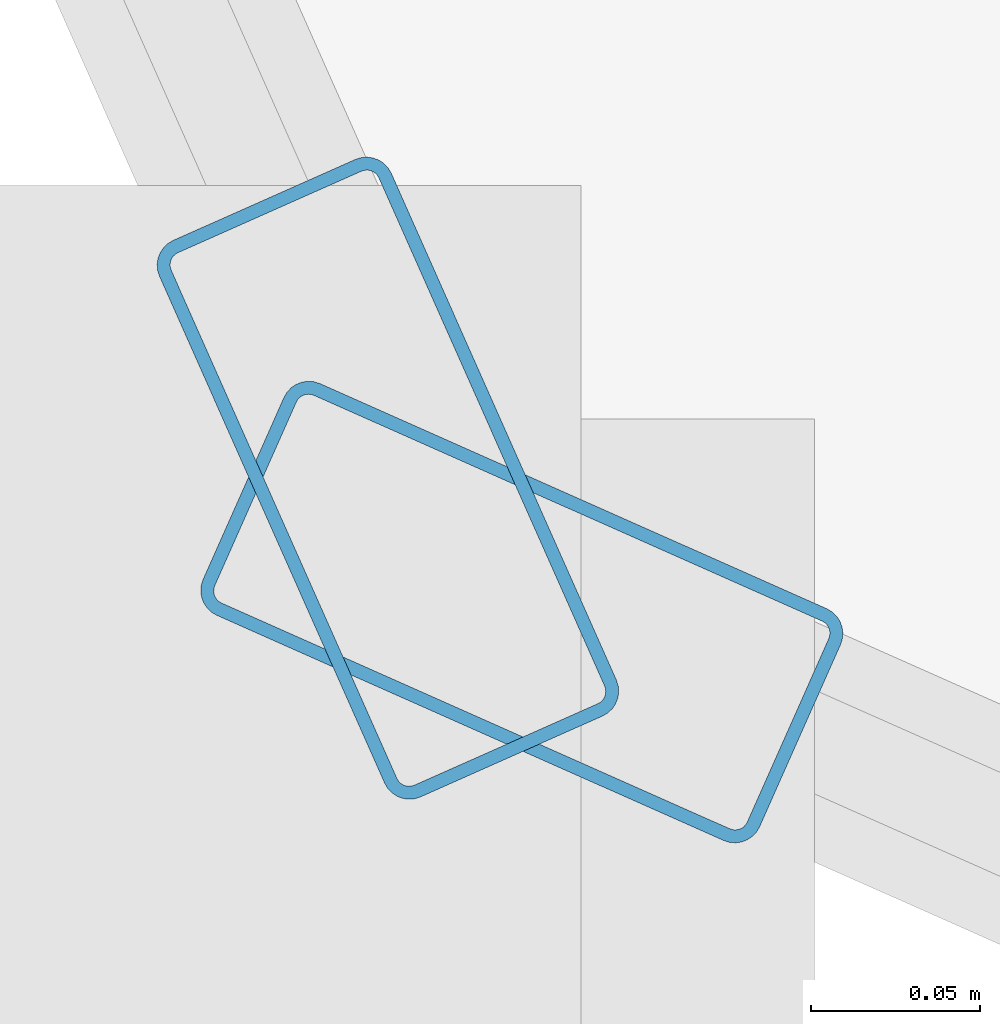
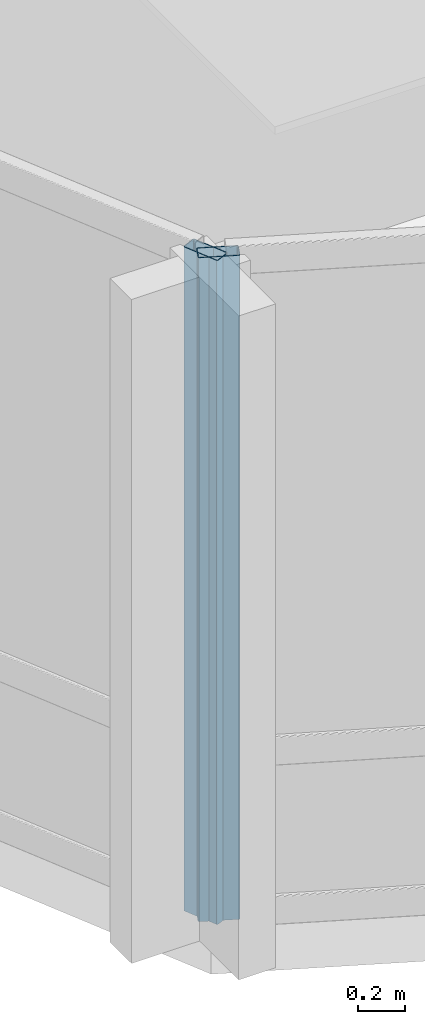
# One storey, part 2 of 29: 2 members, 2 elements without a shape of their own.
"""IFC4 building model written with IfcOpenShell, lengths in metres."""

from ifc_helpers import new_model, si_unit, direction, frame, origin, origin_2d, place, context, subcontext, project, spatial, hollow_rectangle, extrude, material, layer, layer_set, material_profile, profile_set, type_object, element, aggregate, save


model = new_model("IFC4")

# Units and contexts
model_context = context("Model", 3, precision=1e-05, world=origin(), true_north=direction((0.0, 1.0)))
body_context = subcontext(model_context, "Body", "Model", "MODEL_VIEW")
ifc_project = project(units=[si_unit("LENGTHUNIT", "METRE"), si_unit("AREAUNIT", "SQUARE_METRE"), si_unit("VOLUMEUNIT", "CUBIC_METRE"), si_unit("PLANEANGLEUNIT", "RADIAN"), si_unit("MASSUNIT", "GRAM", prefix="KILO")], contexts=[model_context])

# Site, building, storey
site_placement = place(None, origin())
site = spatial("IfcSite", under=ifc_project, at=site_placement, CompositionType="ELEMENT")
building_placement = place(site_placement, origin())
building = spatial("IfcBuilding", under=site, at=building_placement, Name="Solvaryn Broadcast Tower", CompositionType="ELEMENT")
storey_placement = place(building_placement, frame((0.0, 0.0, 128.5)))
storey = spatial("IfcBuildingStorey", under=building, at=storey_placement, Name="L31", CompositionType="ELEMENT", Elevation=128.5)

# Curtain wall, member
ifc_material_1 = material(Name="Aluminium and Terracotta Unitised Curtain Wall", Category="masonry")
ifc_layer_1 = layer(ifc_material_1, 0.239990234375)
ifc_layer_set_1 = layer_set([ifc_layer_1], Name="CW-SYS3-BAYBOX")
curtain_wall_type_1 = type_object("IfcCurtainWallType", Name="CW-SYS3-BAYBOX", PredefinedType="NOTDEFINED", material=ifc_layer_set_1)
curtain_wall_1_placement = place(storey_placement, origin())
curtain_wall_1 = element("IfcCurtainWall", 1, at=curtain_wall_1_placement, inside=storey, type_object=curtain_wall_type_1, Name="L31 Curtain Wall DR2", PredefinedType="NOTDEFINED")
ifc_material_2 = material(Name="Anodised Aluminium 6063-T6", Category="aluminium")
ifc_material_profile = material_profile(ifc_material_2, hollow_rectangle(XDim=0.074951171875, YDim=0.179931640625, WallThickness=0.00390625, InnerFilletRadius=0.00390625, OuterFilletRadius=0.008056640625, at=origin_2d()))
ifc_profile_set = profile_set([ifc_material_profile], Name="Anodised Aluminium 6063-T6")
member_type = type_object("IfcMemberType", Name="CW-MUL-180", PredefinedType="MULLION", material=ifc_profile_set)
member_1_placement = place(storey_placement, frame((8.895751953125, 8.935302734375, 0.0), z_axis=(0.0, 0.0, 1.0), x_axis=(0.913909311008, 0.405918429309, 0.0)))
member_1 = element("IfcMember", 2, at=member_1_placement, type_object=member_type, Name="CWS3 mullion 2", PredefinedType="MULLION", context=body_context, shape_type="SweptSolid", body=[
    extrude(hollow_rectangle(XDim=0.074951171875, YDim=0.179931640625, WallThickness=0.00390625, InnerFilletRadius=0.00390625, OuterFilletRadius=0.008056640625, at=origin_2d()), origin(), (0.0, 0.0, 1.0), 3.419921875),
])
aggregate(curtain_wall_1, [member_1])

ifc_material_3 = material(Name="Aluminium and Terracotta Unitised Curtain Wall", Category="masonry")
ifc_layer_2 = layer(ifc_material_3, 0.199951171875)
ifc_layer_set_2 = layer_set([ifc_layer_2], Name="CW-SYS2-LOWMID")
curtain_wall_type_2 = type_object("IfcCurtainWallType", Name="CW-SYS2-LOWMID", PredefinedType="NOTDEFINED", material=ifc_layer_set_2)
curtain_wall_2_placement = place(storey_placement, origin())
curtain_wall_2 = element("IfcCurtainWall", 3, at=curtain_wall_2_placement, inside=storey, type_object=curtain_wall_type_2, Name="L31 Curtain Wall DR3", PredefinedType="NOTDEFINED")
member_2_placement = place(storey_placement, frame((8.935302734375, 8.895751953125, 0.0), z_axis=(0.0, 0.0, 1.0), x_axis=(0.405918429309, 0.913909311008, 0.0)))
member_2 = element("IfcMember", 4, at=member_2_placement, type_object=member_type, Name="CWS2 mullion 1", PredefinedType="MULLION", context=body_context, shape_type="SweptSolid", body=[
    extrude(hollow_rectangle(XDim=0.074951171875, YDim=0.179931640625, WallThickness=0.00390625, InnerFilletRadius=0.00390625, OuterFilletRadius=0.008056640625, at=origin_2d()), origin(), (0.0, 0.0, 1.0), 3.419921875),
])
aggregate(curtain_wall_2, [member_2])

save(model, "model.ifc")
